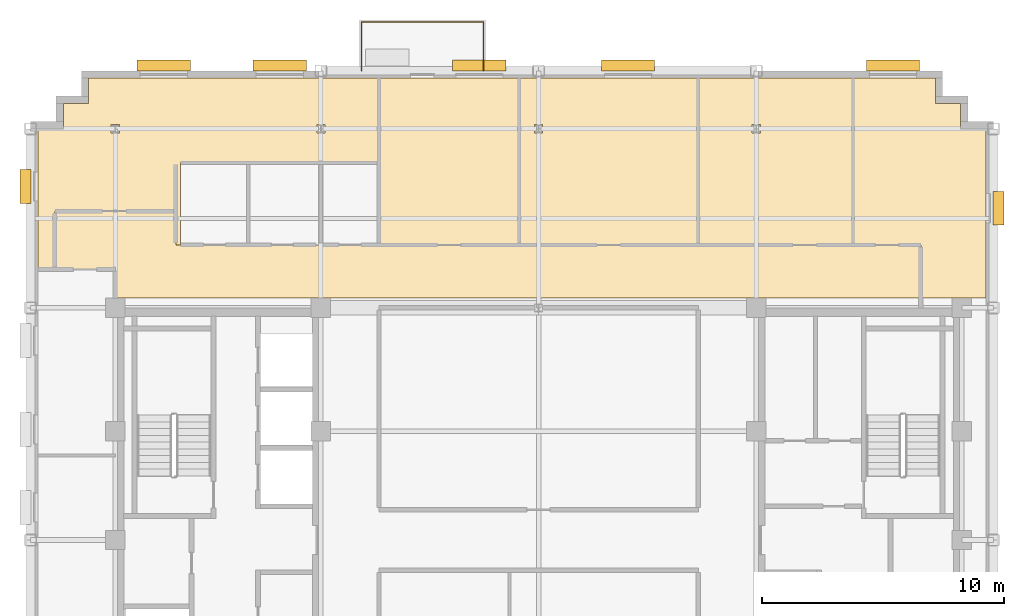
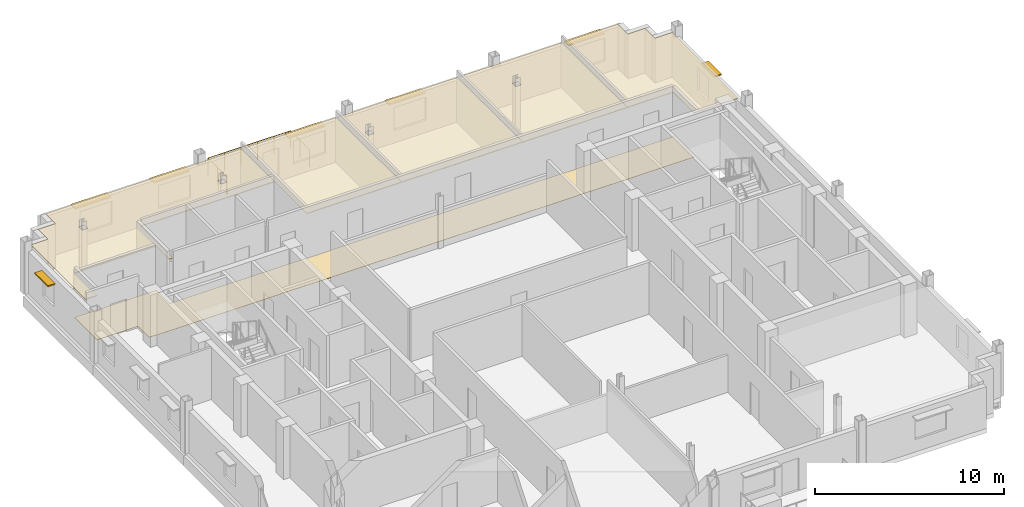
# One storey, part 13 of 13: 7 shading devices, 6 coverings, 1 railing.
"""IFC4 building model written with IfcOpenShell, lengths in metres."""

from ifc_helpers import new_model, si_unit, direction, frame, origin, origin_2d, place, context, subcontext, project, spatial, polyline, rectangle, circle, outline, extrude, source, transform, mapped, material, layer, layer_set, type_object, type_shapes, element, save


model = new_model("IFC4")

# Units and contexts
model_context = context("Model", 3, precision=1e-05, world=origin(), true_north=direction((0.0, 1.0)))
body_context = subcontext(model_context, "Body", "Model", "MODEL_VIEW")
ifc_project = project(units=[si_unit("LENGTHUNIT", "METRE"), si_unit("AREAUNIT", "SQUARE_METRE"), si_unit("VOLUMEUNIT", "CUBIC_METRE"), si_unit("PLANEANGLEUNIT", "RADIAN"), si_unit("MASSUNIT", "GRAM", prefix="KILO")], contexts=[model_context])

# Site, building, storey
site_placement = place(None, origin())
site = spatial("IfcSite", under=ifc_project, at=site_placement, CompositionType="ELEMENT")
building_placement = place(site_placement, origin())
building = spatial("IfcBuilding", under=site, at=building_placement, Name="Nuvemarco Arch Tower", CompositionType="ELEMENT")
storey_placement = place(building_placement, frame((0.0, 0.0, 257.949951171875)))
storey = spatial("IfcBuildingStorey", under=building, at=storey_placement, Name="L68", CompositionType="ELEMENT", Elevation=257.949951171875)

# Coverings
ifc_material_1 = material(Name="Mineral acoustic ceiling tile")
ifc_layer_1 = layer(ifc_material_1, 0.0400390625, Name="COV-ACOUSTIC-CLG")
ifc_layer_set_1 = layer_set([ifc_layer_1], Name="Mineral acoustic ceiling tile")
covering_type_1 = type_object("IfcCoveringType", Name="COV-ACOUSTIC-CLG", PredefinedType="CEILING", material=ifc_layer_set_1)
covering_1_placement = place(storey_placement, frame((0.0, 0.0, 2.85009765625)))
element("IfcCovering", 1, at=covering_1_placement, inside=storey, type_object=covering_type_1, Name="L68 suspended acoustic ceiling 3", PredefinedType="CEILING", context=body_context, shape_type="SweptSolid", body=[
    extrude(outline(polyline([(-15.0, 12.199951171875), (-15.0, 13.60009765625), (-20.0, 13.60009765625), (-20.0, 11.199951171875), (-20.699951171875, 11.199951171875), (-20.699951171875, 17.0), (-19.64990234375, 17.0), (-19.64990234375, 18.050048828125), (-18.60009765625, 18.050048828125), (-18.60009765625, 19.10009765625), (-6.60009765625, 19.10009765625), (-6.60009765625, 15.60009765625), (-9.199951171875, 15.60009765625), (-12.0, 15.60009765625), (-14.800048828125, 15.60009765625), (-14.800048828125, 12.199951171875), (-15.0, 12.199951171875)]), holes=[polyline([(-17.330078125, 17.169921875), (-17.669921875, 17.169921875), (-17.669921875, 16.830078125), (-17.330078125, 16.830078125), (-17.330078125, 17.169921875)]), polyline([(-8.830078125, 17.169921875), (-9.169921875, 17.169921875), (-9.169921875, 16.830078125), (-8.830078125, 16.830078125), (-8.830078125, 17.169921875)])]), origin(), (0.0, 0.0, 1.0), 0.0400390625),
])
covering_2_placement = place(storey_placement, frame((0.0, 0.0, 2.85009765625)))
element("IfcCovering", 2, at=covering_2_placement, inside=storey, type_object=covering_type_1, Name="L68 suspended acoustic ceiling 5", PredefinedType="CEILING", context=body_context, shape_type="SweptSolid", body=[
    extrude(outline(polyline([(-0.800048828125, 12.199951171875), (-0.800048828125, 19.10009765625), (6.60009765625, 19.10009765625), (6.60009765625, 12.199951171875), (-0.800048828125, 12.199951171875)]), holes=[polyline([(0.169921875, 16.830078125), (0.169921875, 17.169921875), (-0.169921875, 17.169921875), (-0.169921875, 16.830078125), (0.169921875, 16.830078125)])]), origin(), (0.0, 0.0, 1.0), 0.0400390625),
])
covering_3_placement = place(storey_placement, frame((0.0, 0.0, 2.85009765625)))
element("IfcCovering", 3, at=covering_3_placement, inside=storey, type_object=covering_type_1, Name="L68 suspended acoustic ceiling 6", PredefinedType="CEILING", context=body_context, shape_type="SweptSolid", body=[
    extrude(outline(polyline([(13.0, 12.199951171875), (9.0, 12.199951171875), (6.60009765625, 12.199951171875), (6.60009765625, 19.10009765625), (13.0, 19.10009765625), (13.0, 12.199951171875)]), holes=[polyline([(9.169921875, 17.169921875), (8.830078125, 17.169921875), (8.830078125, 16.830078125), (9.169921875, 16.830078125), (9.169921875, 17.169921875)])]), origin(), (0.0, 0.0, 1.0), 0.0400390625),
])
covering_4_placement = place(storey_placement, frame((0.0, 0.0, 2.85009765625)))
element("IfcCovering", 4, at=covering_4_placement, inside=storey, type_object=covering_type_1, Name="L68 suspended acoustic ceiling 7", PredefinedType="CEILING", context=body_context, shape_type="SweptSolid", body=[
    extrude(outline(polyline([(18.5, 17.0), (18.5, 10.0), (17.9150390625, 10.0), (17.9150390625, 10.014892578125), (17.0849609375, 10.014892578125), (17.0849609375, 10.0), (15.800048828125, 10.0), (15.800048828125, 12.199951171875), (13.0, 12.199951171875), (13.0, 19.10009765625), (16.39990234375, 19.10009765625), (16.39990234375, 18.050048828125), (17.449951171875, 18.050048828125), (17.449951171875, 17.0), (18.5, 17.0)])), origin(), (0.0, 0.0, 1.0), 0.0400390625),
])
covering_5_placement = place(storey_placement, frame((0.0, 0.0, 2.85009765625)))
element("IfcCovering", 5, at=covering_5_placement, inside=storey, type_object=covering_type_1, Name="L68 suspended acoustic ceiling 8", PredefinedType="CEILING", context=body_context, shape_type="SweptSolid", body=[
    extrude(outline(polyline([(-0.800048828125, 12.199951171875), (-6.60009765625, 12.199951171875), (-6.60009765625, 15.60009765625), (-6.60009765625, 19.10009765625), (-0.800048828125, 19.10009765625), (-0.800048828125, 12.199951171875)])), origin(), (0.0, 0.0, 1.0), 0.0400390625),
])
ifc_material_2 = material(Name="Polished granite terrazzostone flooring", Category="masonry")
ifc_layer_2 = layer(ifc_material_2, 0.02001953125, Name="COV-LOBBY-FLR")
ifc_layer_set_2 = layer_set([ifc_layer_2], Name="Polished granite terrazzostone flooring")
covering_type_2 = type_object("IfcCoveringType", Name="COV-LOBBY-FLR", PredefinedType="FLOORING", material=ifc_layer_set_2)
covering_6_placement = place(storey_placement, origin())
element("IfcCovering", 6, at=covering_6_placement, inside=storey, type_object=covering_type_2, Name="L68 polished terrazzo lobby flooring", PredefinedType="FLOORING", context=body_context, shape_type="SweptSolid", body=[
    extrude(outline(polyline([(-8.5849609375, 10.014892578125), (-9.4150390625, 10.014892578125), (-9.4150390625, 10.0), (-17.0849609375, 10.0), (-17.0849609375, 10.014892578125), (-17.5, 10.014892578125), (-17.5, 11.199951171875), (-20.0, 11.199951171875), (-20.0, 13.60009765625), (-15.0, 13.60009765625), (-15.0, 12.199951171875), (-9.0, 12.199951171875), (-6.60009765625, 12.199951171875), (6.60009765625, 12.199951171875), (9.0, 12.199951171875), (15.800048828125, 12.199951171875), (15.800048828125, 10.0), (9.4150390625, 10.0), (9.4150390625, 10.014892578125), (8.5849609375, 10.014892578125), (8.5849609375, 10.0), (-8.5849609375, 10.0), (-8.5849609375, 10.014892578125)])), origin(), (0.0, 0.0, 1.0), 0.02001953125),
])

# Railing
ifc_material_3 = material(Name="Dark anodised balustrade steel S355", Category="steel")
railing_type = type_object("IfcRailingType", Name="RL-TERR-GUARD", PredefinedType="BALUSTRADE", material=ifc_material_3)
railing_placement = place(storey_placement, frame((-7.320068359375, 19.39990234375, 0.0)))
element("IfcRailing", 7, at=railing_placement, inside=storey, type_object=railing_type, Name="L68 tree balcony perimeter balustrade guard", PredefinedType="BALUSTRADE", context=body_context, shape_type="SweptSolid", body=[
    extrude(circle(Radius=0.02392578125, at=origin_2d()), frame((0.0, 0.0, 1.1259765625), z_axis=(0.0, 1.0, 0.0), x_axis=(-1.0, 0.0, 0.0)), (0.0, 0.0, 1.0), 2.02001953125),
    extrude(circle(Radius=0.02392578125, at=origin_2d()), frame((0.0, 2.02001953125, 1.1259765625), z_axis=(1.0, 0.0, 0.0), x_axis=(0.0, 1.0, 0.0)), (0.0, 0.0, 1.0), 5.0400390625),
    extrude(circle(Radius=0.02392578125, at=origin_2d()), frame((5.0400390625, 2.02001953125, 1.1259765625), z_axis=(0.0, -1.0, 0.0), x_axis=(1.0, 0.0, 0.0)), (0.0, 0.0, 1.0), 2.02001953125),
    extrude(circle(Radius=0.02099609375, at=origin_2d()), origin(), (0.0, 0.0, 1.0), 1.101806640625),
    extrude(circle(Radius=0.02099609375, at=origin_2d()), frame((0.0, 1.010009765625, 0.0)), (0.0, 0.0, 1.0), 1.101806640625),
    extrude(circle(Radius=0.02099609375, at=origin_2d()), frame((0.0, 2.02001953125, 0.0)), (0.0, 0.0, 1.0), 1.101806640625),
    extrude(circle(Radius=0.02099609375, at=origin_2d()), frame((1.008056640625, 2.02001953125, 0.0)), (0.0, 0.0, 1.0), 1.101806640625),
    extrude(circle(Radius=0.02099609375, at=origin_2d()), frame((2.01611328125, 2.02001953125, 0.0)), (0.0, 0.0, 1.0), 1.101806640625),
    extrude(circle(Radius=0.02099609375, at=origin_2d()), frame((3.02392578125, 2.02001953125, 0.0)), (0.0, 0.0, 1.0), 1.101806640625),
    extrude(circle(Radius=0.02099609375, at=origin_2d()), frame((4.031982421875, 2.02001953125, 0.0)), (0.0, 0.0, 1.0), 1.101806640625),
    extrude(circle(Radius=0.02099609375, at=origin_2d()), frame((5.0400390625, 2.02001953125, 0.0)), (0.0, 0.0, 1.0), 1.101806640625),
    extrude(circle(Radius=0.02099609375, at=origin_2d()), frame((5.0400390625, 1.010009765625, 0.0)), (0.0, 0.0, 1.0), 1.101806640625),
    extrude(circle(Radius=0.02099609375, at=origin_2d()), frame((5.0400390625, 0.0, 0.0)), (0.0, 0.0, 1.0), 1.101806640625),
])

# Shading devices
ifc_material_4 = material(Name="Anodised aluminium 6063-T6", Category="aluminium")
shading_device_type_1 = type_object("IfcShadingDeviceType", Name="SHD-BRISE-SOLEIL", PredefinedType="USERDEFINED", material=ifc_material_4)
shared_shape_1 = source(origin(), body_context, "Body", "SweptSolid", [
    extrude(rectangle(XDim=2.199951171875, YDim=0.449951171875, at=origin_2d()), origin(), (0.0, 0.0, 1.0), 0.080078125),
])
type_shapes(shading_device_type_1, [shared_shape_1])
for number, where, z_axis, x_axis, name in (
    (8, (-15.5, 19.614990234375, 2.284912109375), (0.0, 0.0, 1.0), (1.0, 0.0, 0.0), "L68 horizontal brise-soleil sunshade"),
    (9, (-10.699951171875, 19.614990234375, 2.284912109375), (0.0, 0.0, 1.0), (1.0, 0.0, 0.0), "L68 horizontal brise-soleil sunshade"),
    (10, (-2.449951171875, 19.614990234375, 2.284912109375), (0.0, 0.0, 1.0), (1.0, 0.0, 0.0), "L68 horizontal brise-soleil sunshade"),
    (11, (3.699951171875, 19.614990234375, 2.284912109375), (0.0, 0.0, 1.0), (1.0, 0.0, 0.0), "L68 horizontal brise-soleil sunshade"),
    (12, (14.64990234375, 19.614990234375, 2.284912109375), (0.0, 0.0, 1.0), (1.0, 0.0, 0.0), "L68 horizontal brise-soleil sunshade"),
):
    element("IfcShadingDevice", number, at=place(storey_placement, frame(where, z_axis=z_axis, x_axis=x_axis)), inside=storey, type_object=shading_device_type_1, Name=name, ObjectType="SUNSHADE", PredefinedType="USERDEFINED", context=body_context, shape_type="MappedRepresentation", body=[
        mapped(shared_shape_1, transform((0.0, 0.0, 0.0), scale=1.0)),
    ])
shading_device_type_2 = type_object("IfcShadingDeviceType", Name="SHD-BRISE-NARROW", PredefinedType="USERDEFINED", material=ifc_material_4)
shared_shape_2 = source(origin(), body_context, "Body", "SweptSolid", [
    extrude(rectangle(XDim=1.39990234375, YDim=0.449951171875, at=origin_2d()), origin(), (0.0, 0.0, 1.0), 0.080078125),
])
type_shapes(shading_device_type_2, [shared_shape_2])
for number, where, z_axis, x_axis, name in (
    (13, (19.014892578125, 13.7177734375, 2.284912109375), (0.0, 0.0, 1.0), (0.0, 1.0, 0.0), "L68 horizontal brise-soleil sunshade"),
    (14, (-21.215087890625, 14.61767578125, 2.284912109375), (0.0, 0.0, 1.0), (0.0, 1.0, 0.0), "L68 horizontal brise-soleil sunshade"),
):
    element("IfcShadingDevice", number, at=place(storey_placement, frame(where, z_axis=z_axis, x_axis=x_axis)), inside=storey, type_object=shading_device_type_2, Name=name, ObjectType="SUNSHADE", PredefinedType="USERDEFINED", context=body_context, shape_type="MappedRepresentation", body=[
        mapped(shared_shape_2, transform((0.0, 0.0, 0.0), scale=1.0)),
    ])

save(model, "model.ifc")
